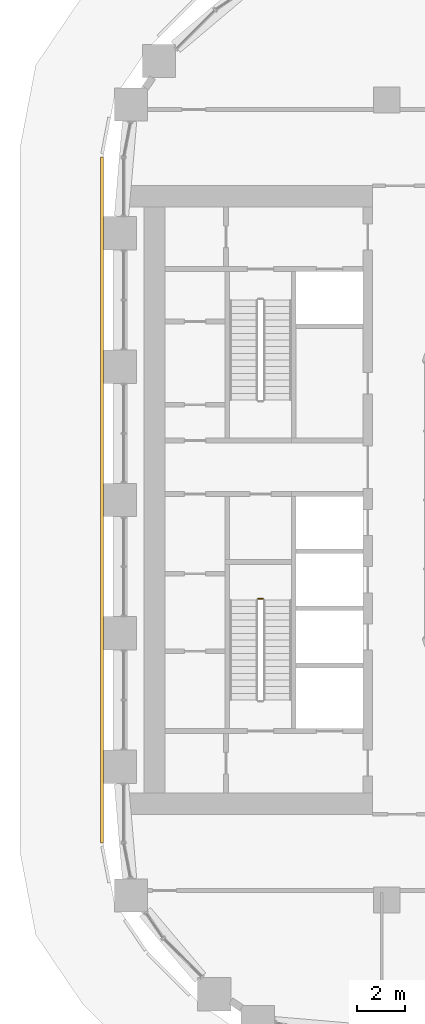
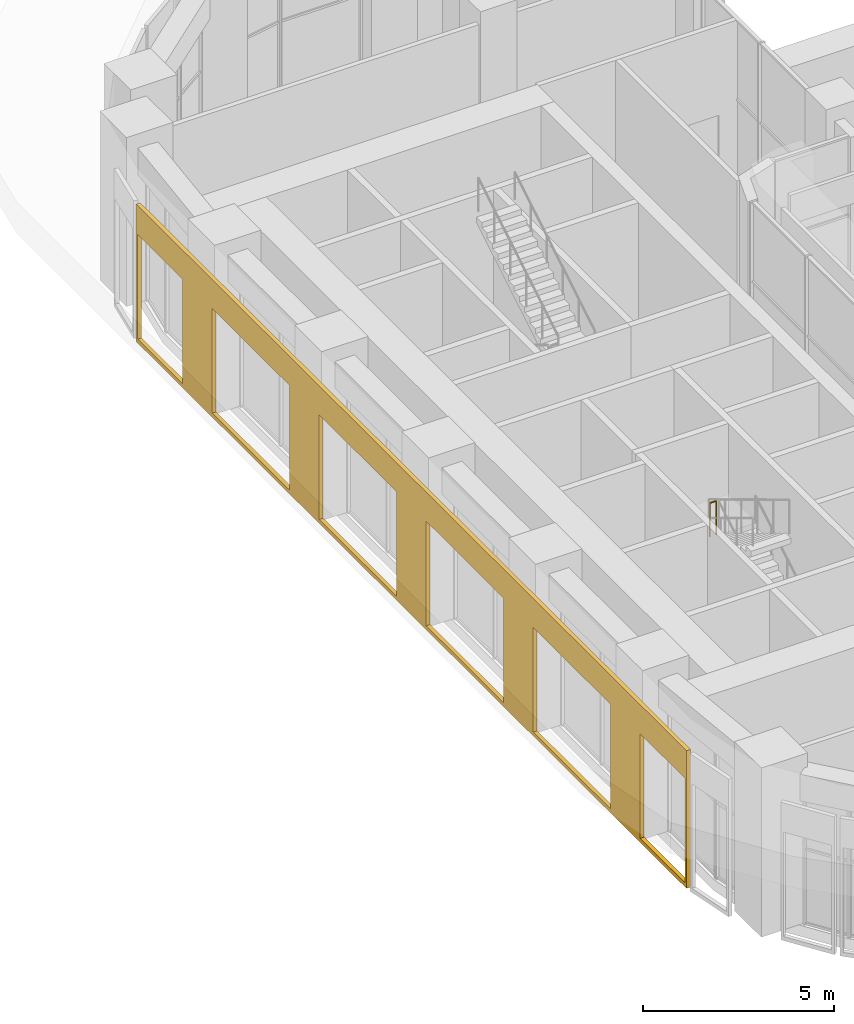
# One storey, part 21 of 27: 1 covering, 1 railing.
"""IFC4 building model written with IfcOpenShell, lengths in metres."""

from ifc_helpers import new_model, si_unit, direction, frame, origin, origin_2d, place, context, subcontext, project, spatial, polyline, circle, outline, extrude, material, layer, layer_set, type_object, element, save


model = new_model("IFC4")

# Units and contexts
model_context = context("Model", 3, precision=1e-05, world=origin(), true_north=direction((0.0, 1.0)))
body_context = subcontext(model_context, "Body", "Model", "MODEL_VIEW")
ifc_project = project(units=[si_unit("LENGTHUNIT", "METRE"), si_unit("AREAUNIT", "SQUARE_METRE"), si_unit("VOLUMEUNIT", "CUBIC_METRE"), si_unit("PLANEANGLEUNIT", "RADIAN"), si_unit("MASSUNIT", "GRAM", prefix="KILO")], contexts=[model_context])

# Site, building, storey
site_placement = place(None, origin())
site = spatial("IfcSite", under=ifc_project, at=site_placement, CompositionType="ELEMENT")
building_placement = place(site_placement, origin())
building = spatial("IfcBuilding", under=site, at=building_placement, Name="Kiln Ring Residences", CompositionType="ELEMENT")
storey_placement = place(building_placement, frame((0.0, 0.0, 72.5)))
storey = spatial("IfcBuildingStorey", under=building, at=storey_placement, Name="L18", CompositionType="ELEMENT", Elevation=72.5)

# Railing
ifc_material_1 = material(Name="Stainless steel", Category="steel")
railing_type = type_object("IfcRailingType", Name="CORE-STAIR-GUARD", PredefinedType="GUARDRAIL", material=ifc_material_1)
railing_placement = place(storey_placement, frame((-22.0, -4.14990234375, 2.699951171875)))
element("IfcRailing", 1, at=railing_placement, inside=storey, type_object=railing_type, Name="L18 W-STS stair guard 2", PredefinedType="GUARDRAIL", context=body_context, shape_type="SweptSolid", body=[
    extrude(circle(Radius=0.02392578125, at=origin_2d()), frame((0.0, 0.0, 1.076171875), z_axis=(-1.0, 0.0, 0.0), x_axis=(0.0, -1.0, 0.0)), (0.0, 0.0, 1.0), 0.199951171875),
    extrude(circle(Radius=0.02099609375, at=origin_2d()), origin(), (0.0, 0.0, 1.0), 1.052001953125),
    extrude(circle(Radius=0.02099609375, at=origin_2d()), frame((-0.199951171875, 0.0, 0.0)), (0.0, 0.0, 1.0), 1.052001953125),
])

# Covering
ifc_material_2 = material(Name="Brick masonry, dark clay brick", Category="masonry")
ifc_layer = layer(ifc_material_2, 0.1201171875)
ifc_layer_set = layer_set([ifc_layer], Name="RAINSCREEN PANEL 120")
covering_type = type_object("IfcCoveringType", Name="RAINSCREEN PANEL 120", PredefinedType="CLADDING", material=ifc_layer_set)
covering_placement = place(storey_placement, frame((-28.760009765625, 14.39990234375, 0.0), z_axis=(0.0, 0.0, 1.0), x_axis=(0.0, -1.0, 0.0)))
element("IfcCovering", 2, at=covering_placement, inside=storey, type_object=covering_type, Name="RAINSCREEN L18", PredefinedType="CLADDING", context=body_context, shape_type="SweptSolid", body=[
    extrude(outline(polyline([(0.0, 0.0), (28.800048828125, 0.0), (28.800048828125, 4.39990234375), (0.0, 4.39990234375), (0.0, 0.0)]), holes=[polyline([(2.419921875, 0.1298828125), (2.419921875, 3.469970703125), (0.080078125, 3.469970703125), (0.080078125, 0.1298828125), (2.419921875, 0.1298828125)]), polyline([(3.97998046875, 0.1298828125), (8.02001953125, 0.1298828125), (8.02001953125, 3.469970703125), (3.97998046875, 3.469970703125), (3.97998046875, 0.1298828125)]), polyline([(9.580078125, 0.1298828125), (13.6201171875, 0.1298828125), (13.6201171875, 3.469970703125), (9.580078125, 3.469970703125), (9.580078125, 0.1298828125)]), polyline([(19.219970703125, 0.1298828125), (19.219970703125, 3.469970703125), (15.179931640625, 3.469970703125), (15.179931640625, 0.1298828125), (19.219970703125, 0.1298828125)]), polyline([(20.780029296875, 0.1298828125), (24.820068359375, 0.1298828125), (24.820068359375, 3.469970703125), (20.780029296875, 3.469970703125), (20.780029296875, 0.1298828125)]), polyline([(26.3798828125, 0.1298828125), (28.719970703125, 0.1298828125), (28.719970703125, 3.469970703125), (26.3798828125, 3.469970703125), (26.3798828125, 0.1298828125)])]), frame((0.0, 0.06005859375, 0.0), z_axis=(0.0, -1.0, 0.0), x_axis=(1.0, 0.0, 0.0)), (0.0, 0.0, 1.0), 0.1201171875),
])

save(model, "model.ifc")
